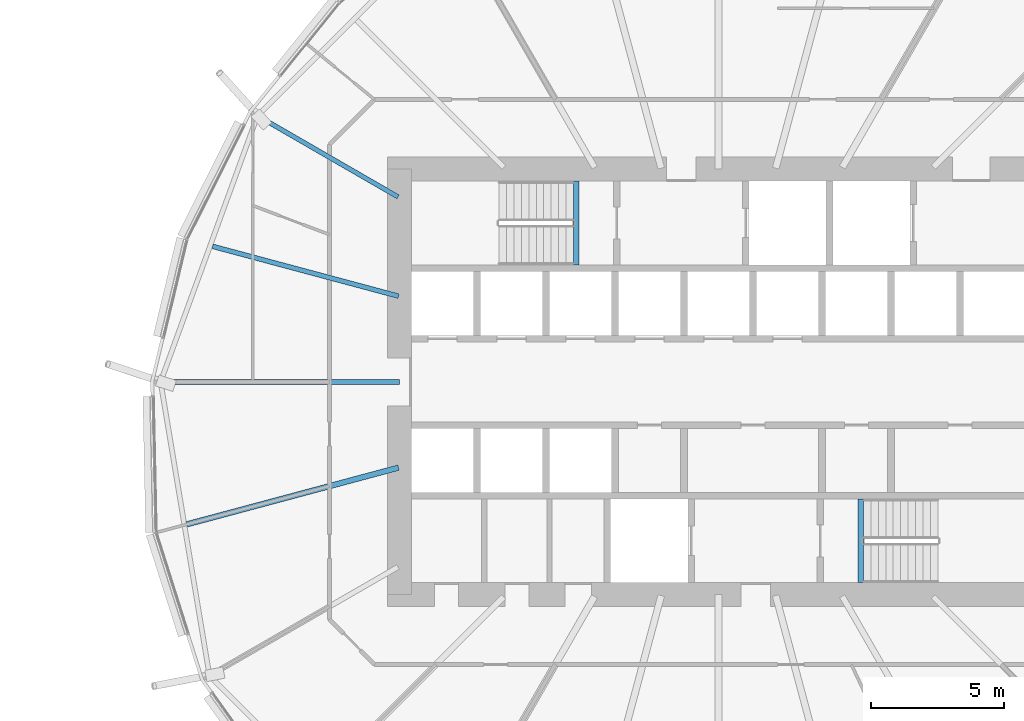
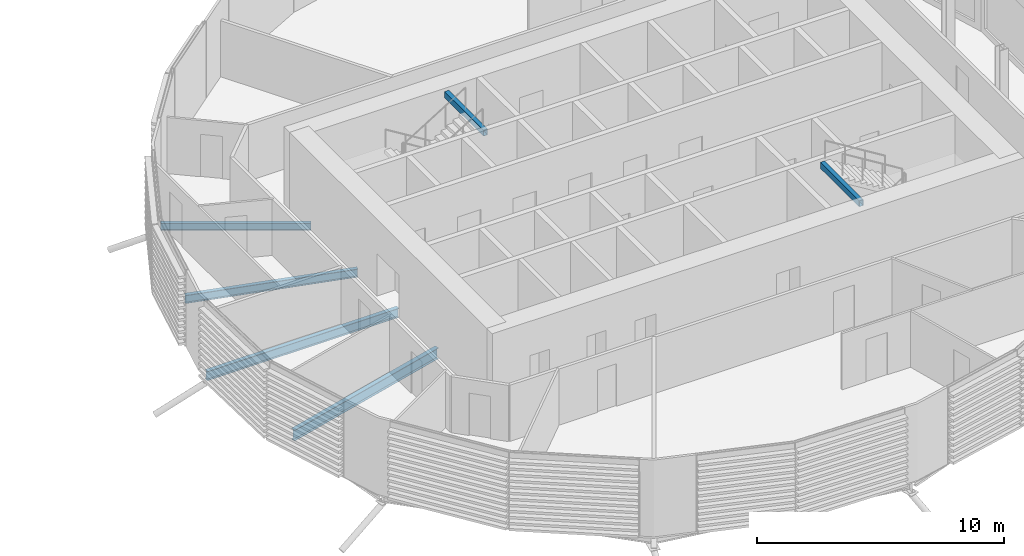
# One storey, part 15 of 37: 6 beams.
"""IFC4 building model written with IfcOpenShell, lengths in metres."""

from ifc_helpers import new_model, si_unit, direction, frame, origin, origin_2d, place, context, subcontext, project, spatial, hollow_rectangle, i_section, extrude, material, material_profile, profile_set, type_object, element, save


model = new_model("IFC4")

# Units and contexts
model_context = context("Model", 3, precision=1e-05, world=origin(), true_north=direction((0.0, 1.0)))
body_context = subcontext(model_context, "Body", "Model", "MODEL_VIEW")
ifc_project = project(units=[si_unit("LENGTHUNIT", "METRE"), si_unit("AREAUNIT", "SQUARE_METRE"), si_unit("VOLUMEUNIT", "CUBIC_METRE"), si_unit("PLANEANGLEUNIT", "RADIAN"), si_unit("MASSUNIT", "GRAM", prefix="KILO")], contexts=[model_context])

# Site, building, storey
site_placement = place(None, origin())
site = spatial("IfcSite", under=ifc_project, at=site_placement, CompositionType="ELEMENT")
building_placement = place(site_placement, origin())
building = spatial("IfcBuilding", under=site, at=building_placement, Name="Rimbun Link Towers", CompositionType="ELEMENT")
storey_placement = place(building_placement, frame((0.0, 0.0, 45.199951171875)))
storey = spatial("IfcBuildingStorey", under=building, at=storey_placement, Name="L10", CompositionType="ELEMENT", Elevation=45.199951171875)

# Beams
ifc_material_1 = material(Name="Steel S355J2", Category="steel")
ifc_material_profile_1 = material_profile(ifc_material_1, hollow_rectangle(XDim=0.199951171875, YDim=0.300048828125, WallThickness=0.011962890625, at=origin_2d()), Name="BOX 300x200x12")
ifc_profile_set_1 = profile_set([ifc_material_profile_1], Name="Steel S355J2")
beam_type_1 = type_object("IfcBeamType", Name="Stair trimmer beam BOX 300x200x12", PredefinedType="BEAM", material=ifc_profile_set_1)
for number, where, z_axis, x_axis, name in (
    (1, (26.39990234375, 7.550048828125, 3.489990234375), (0.0, -1.0, 0.0), (1.0, 0.0, 0.0), "L10 ST3 stair beam 1"),
    (2, (37.10009765625, -7.550048828125, 3.489990234375), (0.0, 1.0, 0.0), (-1.0, 0.0, 0.0), "L10 ST4 stair beam 1"),
):
    element("IfcBeam", number, at=place(storey_placement, frame(where, z_axis=z_axis, x_axis=x_axis)), inside=storey, type_object=beam_type_1, Name=name, PredefinedType="BEAM", context=body_context, shape_type="SweptSolid", body=[
        extrude(hollow_rectangle(XDim=0.199951171875, YDim=0.300048828125, WallThickness=0.011962890625, at=origin_2d()), origin(), (0.0, 0.0, 1.0), 3.150146484375),
    ])
ifc_material_2 = material(Name="Steel S355J2", Category="steel")
ifc_material_profile_2 = material_profile(ifc_material_2, i_section(OverallWidth=0.17138671875, OverallDepth=0.35498046875, WebThickness=0.00732421875, FlangeThickness=0.011474609375, at=origin_2d()), Name="UB 356x171x51")
ifc_profile_set_2 = profile_set([ifc_material_profile_2], Name="Steel S355J2")
beam_type_2 = type_object("IfcBeamType", Name="UB 356x171x51", PredefinedType="BEAM", material=ifc_profile_set_2)
beam_1_placement = place(storey_placement, frame((19.706298828125, 6.95361328125, -0.33740234375), z_axis=(-0.86603440996, 0.499984400523, 0.0), x_axis=(-0.499984400523, -0.86603440996, 0.0)))
element("IfcBeam", 3, at=beam_1_placement, inside=storey, type_object=beam_type_2, Name="Radial beam T2 L10 07", PredefinedType="BEAM", context=body_context, shape_type="SweptSolid", body=[
    extrude(i_section(OverallWidth=0.17138671875, OverallDepth=0.35498046875, WebThickness=0.00732421875, FlangeThickness=0.011474609375, at=origin_2d()), origin(), (0.0, 0.0, 1.0), 6.104736328125),
])
ifc_material_3 = material(Name="Steel S355J2", Category="steel")
ifc_material_profile_3 = material_profile(ifc_material_3, i_section(OverallWidth=0.177978515625, OverallDepth=0.406494140625, WebThickness=0.0078125, FlangeThickness=0.0126953125, at=origin_2d()), Name="UB 406x178x60")
ifc_profile_set_3 = profile_set([ifc_material_profile_3], Name="Steel S355J2")
beam_type_3 = type_object("IfcBeamType", Name="UB 406x178x60", PredefinedType="BEAM", material=ifc_profile_set_3)
beam_2_placement = place(storey_placement, frame((19.72607421875, 3.2216796875, -0.363037109375), z_axis=(-0.965919925286, 0.258841066943, 0.0), x_axis=(-0.258841066943, -0.965919925286, 0.0)))
element("IfcBeam", 4, at=beam_2_placement, inside=storey, type_object=beam_type_3, Name="Radial beam T2 L10 08", PredefinedType="BEAM", context=body_context, shape_type="SweptSolid", body=[
    extrude(i_section(OverallWidth=0.177978515625, OverallDepth=0.406494140625, WebThickness=0.0078125, FlangeThickness=0.0126953125, at=origin_2d()), origin(), (0.0, 0.0, 1.0), 7.24560546875),
])
ifc_material_4 = material(Name="Steel S355J2", Category="steel")
ifc_material_profile_4 = material_profile(ifc_material_4, i_section(OverallWidth=0.18994140625, OverallDepth=0.453369140625, WebThickness=0.008544921875, FlangeThickness=0.0126953125, at=origin_2d()), Name="UB 457x191x67")
ifc_profile_set_4 = profile_set([ifc_material_profile_4], Name="Steel S355J2")
beam_type_4 = type_object("IfcBeamType", Name="UB 457x191x67", PredefinedType="BEAM", material=ifc_profile_set_4)
beam_3_placement = place(storey_placement, frame((19.7490234375, 0.0, -0.38671875), z_axis=(-1.0, 0.0, 0.0), x_axis=(0.0, -1.0, 0.0)))
element("IfcBeam", 5, at=beam_3_placement, inside=storey, type_object=beam_type_4, Name="Radial beam T2 L10 09", PredefinedType="BEAM", context=body_context, shape_type="SweptSolid", body=[
    extrude(i_section(OverallWidth=0.18994140625, OverallDepth=0.453369140625, WebThickness=0.008544921875, FlangeThickness=0.0126953125, at=origin_2d()), origin(), (0.0, 0.0, 1.0), 8.973876953125),
])
ifc_material_5 = material(Name="Steel S355J2", Category="steel")
ifc_material_profile_5 = material_profile(ifc_material_5, i_section(OverallWidth=0.209228515625, OverallDepth=0.533203125, WebThickness=0.010009765625, FlangeThickness=0.015625, at=origin_2d()), Name="UB 533x210x92")
ifc_profile_set_5 = profile_set([ifc_material_profile_5], Name="Steel S355J2")
beam_type_5 = type_object("IfcBeamType", Name="UB 533x210x92", PredefinedType="BEAM", material=ifc_profile_set_5)
beam_4_placement = place(storey_placement, frame((19.721923828125, -3.222900390625, -0.426513671875), z_axis=(-0.965929547306, -0.258805157678, 0.0), x_axis=(0.258805157678, -0.965929547306, 0.0)))
element("IfcBeam", 6, at=beam_4_placement, inside=storey, type_object=beam_type_5, Name="Radial beam T2 L10 10", PredefinedType="BEAM", context=body_context, shape_type="SweptSolid", body=[
    extrude(i_section(OverallWidth=0.209228515625, OverallDepth=0.533203125, WebThickness=0.010009765625, FlangeThickness=0.015625, at=origin_2d()), origin(), (0.0, 0.0, 1.0), 8.244873046875),
])

save(model, "model.ifc")
